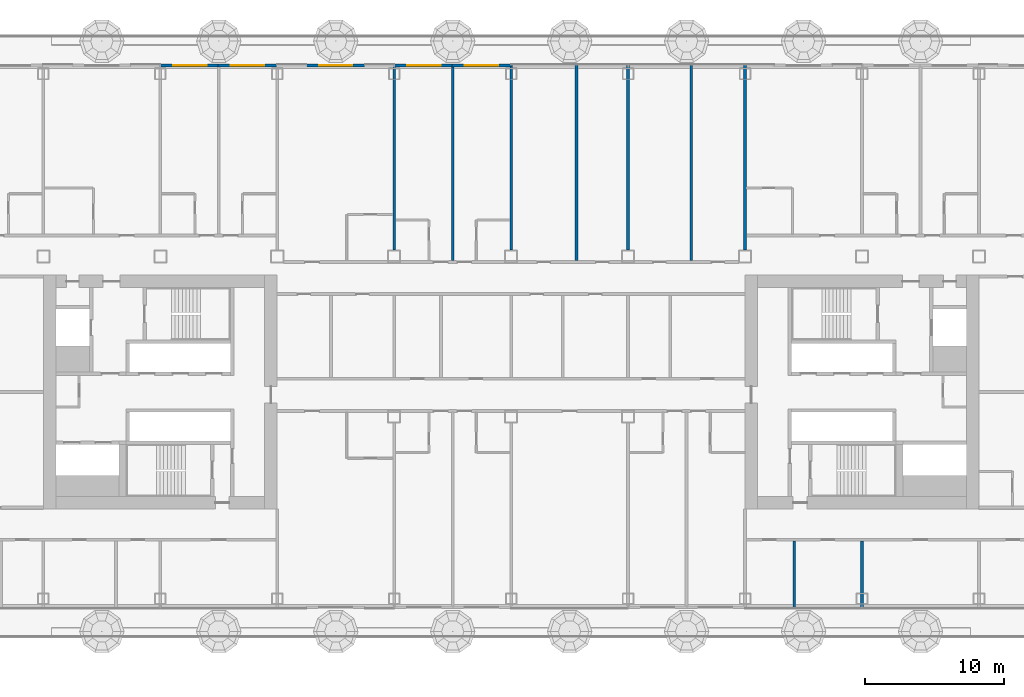
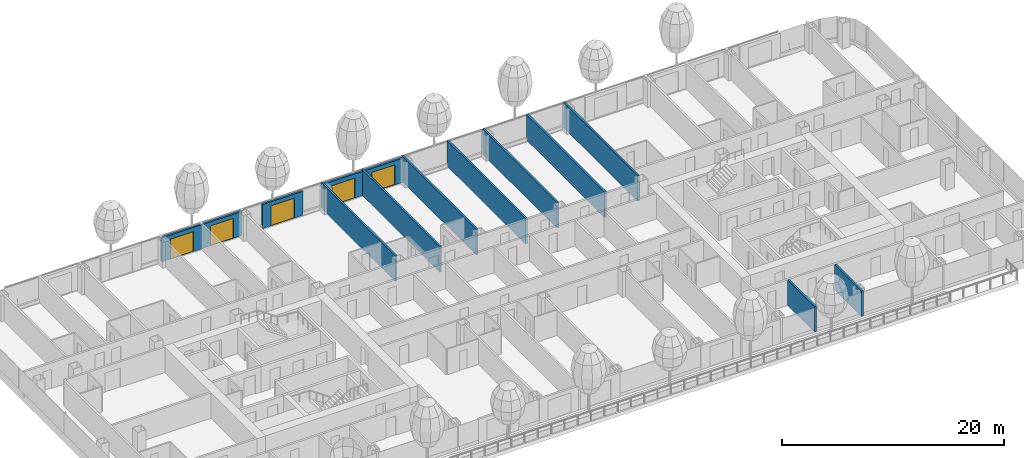
# One storey, part 15 of 33: 14 walls, 5 doors, 5 openings, 1 element without a shape of its own.
"""IFC4 building model written with IfcOpenShell, lengths in metres."""

from ifc_helpers import new_model, si_unit, direction, frame, frame_2d, origin, place, context, subcontext, project, spatial, rectangle, extrude, material, layer, layer_set, type_object, element, fill, aggregate, save


model = new_model("IFC4")

# Units and contexts
model_context = context("Model", 3, precision=1e-05, world=origin(), true_north=direction((0.0, 1.0)))
body_context = subcontext(model_context, "Body", "Model", "MODEL_VIEW")
ifc_project = project(units=[si_unit("LENGTHUNIT", "METRE"), si_unit("AREAUNIT", "SQUARE_METRE"), si_unit("VOLUMEUNIT", "CUBIC_METRE"), si_unit("PLANEANGLEUNIT", "RADIAN"), si_unit("MASSUNIT", "GRAM", prefix="KILO")], contexts=[model_context])

# Site, building, storey
site_placement = place(None, origin())
site = spatial("IfcSite", under=ifc_project, at=site_placement, CompositionType="ELEMENT")
building_placement = place(site_placement, origin())
building = spatial("IfcBuilding", under=site, at=building_placement, Name="Hakoniwa Tower and Hamabe Station Hall", CompositionType="ELEMENT")
storey_placement = place(building_placement, frame((0.0, 0.0, 81.800048828125)))
storey = spatial("IfcBuildingStorey", under=building, at=storey_placement, Name="L22", CompositionType="ELEMENT", Elevation=81.800048828125)

# Curtain wall, walls, openings, doors
ifc_material_1 = material(Name="Dark low-e laminated glass", Category="glass")
ifc_layer_1 = layer(ifc_material_1, 0.199951171875)
ifc_layer_set_1 = layer_set([ifc_layer_1], Name="CW-1 UNITISED GUEST")
curtain_wall_type = type_object("IfcCurtainWallType", Name="CW-1 UNITISED GUEST", PredefinedType="NOTDEFINED", material=ifc_layer_set_1)
curtain_wall_placement = place(storey_placement, origin())
curtain_wall = element("IfcCurtainWall", 1, at=curtain_wall_placement, inside=storey, type_object=curtain_wall_type, Name="CW-1 curtain wall", PredefinedType="NOTDEFINED")
ifc_material_2 = material(Name="Dark glass-faced aluminium panel", Category="aluminium")
ifc_layer_2 = layer(ifc_material_2, 0.199951171875)
ifc_layer_set_2 = layer_set([ifc_layer_2], Name="DOOR BAY WALL")
wall_type_1 = type_object("IfcWallType", Name="DOOR BAY WALL", PredefinedType="NOTDEFINED", material=ifc_layer_set_2)
wall_1_placement = place(storey_placement, frame((-0.02001953125, 23.449951171875, 0.0), z_axis=(0.0, 0.0, 1.0), x_axis=(-1.0, 0.0, 0.0)))
wall_1 = element("IfcWall", 2, at=wall_1_placement, type_object=wall_type_1, Name="Door bay wall", PredefinedType="NOTDEFINED", context=body_context, shape_type="SweptSolid", body=[
    extrude(rectangle(XDim=4.219970703125, YDim=0.199951171875, at=frame_2d((2.10986328125, 0.0))), origin(), (0.0, 0.0, 1.0), 2.64990234375),
])
opening_1_placement = place(wall_1_placement, frame((0.909912109375, 0.0, 0.0)))
opening_1 = element("IfcOpeningElement", 3, at=opening_1_placement, cuts=wall_1, Name="Opening BD-N03-3", PredefinedType="OPENING", context=body_context, shape_type="SweptSolid", body=[
    extrude(rectangle(XDim=2.39990234375, YDim=2.199951171875, at=frame_2d((1.199951171875, 1.10009765625))), frame((0.0, 0.10986328125, 0.0), z_axis=(0.0, -1.0, 0.0), x_axis=(1.0, 0.0, 0.0)), (0.0, 0.0, 1.0), 0.219970703125),
])
ifc_material_3 = material(Name="Dark low-e laminated glass", Category="glass")
door_type = type_object("IfcDoorType", Name="BALCONY SLIDING DOOR 2400X2200", OperationType="SLIDING_TO_LEFT", PredefinedType="DOOR", material=ifc_material_3)
door_1_placement = place(opening_1_placement, frame((2.39990234375, 0.0, 0.0), z_axis=(0.0, 0.0, 1.0), x_axis=(-1.0, 0.0, 0.0)))
door_1 = element("IfcDoor", 4, at=door_1_placement, inside=storey, type_object=door_type, Name="Balcony sliding door", OperationType="SLIDING_TO_LEFT", OverallHeight=2.199951171875, OverallWidth=2.39990234375, PredefinedType="DOOR", context=body_context, shape_type="SweptSolid", body=[
    extrude(rectangle(XDim=2.39990234375, YDim=2.199951171875, at=frame_2d((1.199951171875, 1.10009765625))), frame((0.0, 0.02490234375, 0.0), z_axis=(0.0, -1.0, 0.0), x_axis=(1.0, 0.0, 0.0)), (0.0, 0.0, 1.0), 0.050048828125),
])
fill(opening_1, door_1)
wall_2_placement = place(storey_placement, frame((-4.159912109375, 23.449951171875, 0.0), z_axis=(0.0, 0.0, 1.0), x_axis=(-1.0, 0.0, 0.0)))
wall_2 = element("IfcWall", 5, at=wall_2_placement, type_object=wall_type_1, Name="Door bay wall", PredefinedType="NOTDEFINED", context=body_context, shape_type="SweptSolid", body=[
    extrude(rectangle(XDim=4.219970703125, YDim=0.199951171875, at=frame_2d((2.10986328125, 0.0))), origin(), (0.0, 0.0, 1.0), 2.64990234375),
])
opening_2_placement = place(wall_2_placement, frame((0.909912109375, 0.0, 0.0)))
opening_2 = element("IfcOpeningElement", 6, at=opening_2_placement, cuts=wall_2, Name="Opening BD-N03-2", PredefinedType="OPENING", context=body_context, shape_type="SweptSolid", body=[
    extrude(rectangle(XDim=2.39990234375, YDim=2.199951171875, at=frame_2d((1.199951171875, 1.10009765625))), frame((0.0, 0.10986328125, 0.0), z_axis=(0.0, -1.0, 0.0), x_axis=(1.0, 0.0, 0.0)), (0.0, 0.0, 1.0), 0.219970703125),
])
door_2_placement = place(opening_2_placement, frame((2.39990234375, 0.0, 0.0), z_axis=(0.0, 0.0, 1.0), x_axis=(-1.0, 0.0, 0.0)))
door_2 = element("IfcDoor", 7, at=door_2_placement, inside=storey, type_object=door_type, Name="Balcony sliding door", OperationType="SLIDING_TO_LEFT", OverallHeight=2.199951171875, OverallWidth=2.39990234375, PredefinedType="DOOR", context=body_context, shape_type="SweptSolid", body=[
    extrude(rectangle(XDim=2.39990234375, YDim=2.199951171875, at=frame_2d((1.199951171875, 1.10009765625))), frame((0.0, 0.02490234375, 0.0), z_axis=(0.0, -1.0, 0.0), x_axis=(1.0, 0.0, 0.0)), (0.0, 0.0, 1.0), 0.050048828125),
])
fill(opening_2, door_2)
wall_3_placement = place(storey_placement, frame((-10.489990234375, 23.449951171875, 0.0), z_axis=(0.0, 0.0, 1.0), x_axis=(-1.0, 0.0, 0.0)))
wall_3 = element("IfcWall", 8, at=wall_3_placement, type_object=wall_type_1, Name="Door bay wall", PredefinedType="NOTDEFINED", context=body_context, shape_type="SweptSolid", body=[
    extrude(rectangle(XDim=4.219970703125, YDim=0.199951171875, at=frame_2d((2.10986328125, 0.0))), origin(), (0.0, 0.0, 1.0), 2.64990234375),
])
opening_3_placement = place(wall_3_placement, frame((0.909912109375, 0.0, 0.0)))
opening_3 = element("IfcOpeningElement", 9, at=opening_3_placement, cuts=wall_3, Name="Opening BD-N03-1", PredefinedType="OPENING", context=body_context, shape_type="SweptSolid", body=[
    extrude(rectangle(XDim=2.39990234375, YDim=2.199951171875, at=frame_2d((1.199951171875, 1.10009765625))), frame((0.0, 0.10986328125, 0.0), z_axis=(0.0, -1.0, 0.0), x_axis=(1.0, 0.0, 0.0)), (0.0, 0.0, 1.0), 0.219970703125),
])
door_3_placement = place(opening_3_placement, frame((2.39990234375, 0.0, 0.0), z_axis=(0.0, 0.0, 1.0), x_axis=(-1.0, 0.0, 0.0)))
door_3 = element("IfcDoor", 10, at=door_3_placement, inside=storey, type_object=door_type, Name="Balcony sliding door", OperationType="SLIDING_TO_LEFT", OverallHeight=2.199951171875, OverallWidth=2.39990234375, PredefinedType="DOOR", context=body_context, shape_type="SweptSolid", body=[
    extrude(rectangle(XDim=2.39990234375, YDim=2.199951171875, at=frame_2d((1.199951171875, 1.10009765625))), frame((0.0, 0.02490234375, 0.0), z_axis=(0.0, -1.0, 0.0), x_axis=(1.0, 0.0, 0.0)), (0.0, 0.0, 1.0), 0.050048828125),
])
fill(opening_3, door_3)
wall_4_placement = place(storey_placement, frame((-16.820068359375, 23.449951171875, 0.0), z_axis=(0.0, 0.0, 1.0), x_axis=(-1.0, 0.0, 0.0)))
wall_4 = element("IfcWall", 11, at=wall_4_placement, type_object=wall_type_1, Name="Door bay wall", PredefinedType="NOTDEFINED", context=body_context, shape_type="SweptSolid", body=[
    extrude(rectangle(XDim=4.219970703125, YDim=0.199951171875, at=frame_2d((2.10986328125, 0.0))), origin(), (0.0, 0.0, 1.0), 2.64990234375),
])
opening_4_placement = place(wall_4_placement, frame((0.909912109375, 0.0, 0.0)))
opening_4 = element("IfcOpeningElement", 12, at=opening_4_placement, cuts=wall_4, Name="Opening BD-N03-16", PredefinedType="OPENING", context=body_context, shape_type="SweptSolid", body=[
    extrude(rectangle(XDim=2.39990234375, YDim=2.199951171875, at=frame_2d((1.199951171875, 1.10009765625))), frame((0.0, 0.10986328125, 0.0), z_axis=(0.0, -1.0, 0.0), x_axis=(1.0, 0.0, 0.0)), (0.0, 0.0, 1.0), 0.219970703125),
])
door_4_placement = place(opening_4_placement, frame((2.39990234375, 0.0, 0.0), z_axis=(0.0, 0.0, 1.0), x_axis=(-1.0, 0.0, 0.0)))
door_4 = element("IfcDoor", 13, at=door_4_placement, inside=storey, type_object=door_type, Name="Balcony sliding door", OperationType="SLIDING_TO_LEFT", OverallHeight=2.199951171875, OverallWidth=2.39990234375, PredefinedType="DOOR", context=body_context, shape_type="SweptSolid", body=[
    extrude(rectangle(XDim=2.39990234375, YDim=2.199951171875, at=frame_2d((1.199951171875, 1.10009765625))), frame((0.0, 0.02490234375, 0.0), z_axis=(0.0, -1.0, 0.0), x_axis=(1.0, 0.0, 0.0)), (0.0, 0.0, 1.0), 0.050048828125),
])
fill(opening_4, door_4)
wall_5_placement = place(storey_placement, frame((-20.9599609375, 23.449951171875, 0.0), z_axis=(0.0, 0.0, 1.0), x_axis=(-1.0, 0.0, 0.0)))
wall_5 = element("IfcWall", 14, at=wall_5_placement, type_object=wall_type_1, Name="Door bay wall", PredefinedType="NOTDEFINED", context=body_context, shape_type="SweptSolid", body=[
    extrude(rectangle(XDim=4.219970703125, YDim=0.199951171875, at=frame_2d((2.10986328125, 0.0))), origin(), (0.0, 0.0, 1.0), 2.64990234375),
])
opening_5_placement = place(wall_5_placement, frame((0.909912109375, 0.0, 0.0)))
opening_5 = element("IfcOpeningElement", 15, at=opening_5_placement, cuts=wall_5, Name="Opening BD-N03-15", PredefinedType="OPENING", context=body_context, shape_type="SweptSolid", body=[
    extrude(rectangle(XDim=2.39990234375, YDim=2.199951171875, at=frame_2d((1.199951171875, 1.10009765625))), frame((0.0, 0.10986328125, 0.0), z_axis=(0.0, -1.0, 0.0), x_axis=(1.0, 0.0, 0.0)), (0.0, 0.0, 1.0), 0.219970703125),
])
door_5_placement = place(opening_5_placement, frame((2.39990234375, 0.0, 0.0), z_axis=(0.0, 0.0, 1.0), x_axis=(-1.0, 0.0, 0.0)))
door_5 = element("IfcDoor", 16, at=door_5_placement, inside=storey, type_object=door_type, Name="Balcony sliding door", OperationType="SLIDING_TO_LEFT", OverallHeight=2.199951171875, OverallWidth=2.39990234375, PredefinedType="DOOR", context=body_context, shape_type="SweptSolid", body=[
    extrude(rectangle(XDim=2.39990234375, YDim=2.199951171875, at=frame_2d((1.199951171875, 1.10009765625))), frame((0.0, 0.02490234375, 0.0), z_axis=(0.0, -1.0, 0.0), x_axis=(1.0, 0.0, 0.0)), (0.0, 0.0, 1.0), 0.050048828125),
])
fill(opening_5, door_5)
aggregate(curtain_wall, [wall_1, wall_2, wall_3, wall_4, wall_5])

# Walls
ifc_material_4 = material(Name="Fire-rated gypsum board partition", Category="gypsum")
ifc_layer_3 = layer(ifc_material_4, 0.199951171875)
ifc_layer_set_3 = layer_set([ifc_layer_3], Name="Party Wall 200")
wall_type_2 = type_object("IfcWallType", Name="Party Wall 200", PredefinedType="PARTITIONING", material=ifc_layer_set_3)
wall_6_placement = place(storey_placement, frame((-8.39990234375, 10.18994140625, 0.0), z_axis=(0.0, 0.0, 1.0), x_axis=(0.0, 1.0, 0.0)))
element("IfcWall", 17, at=wall_6_placement, inside=storey, type_object=wall_type_2, Name="GW-L22-061", PredefinedType="PARTITIONING", context=body_context, shape_type="SweptSolid", body=[
    extrude(rectangle(XDim=13.360107421875, YDim=0.199951171875, at=frame_2d((6.68017578125, 0.0))), origin(), (0.0, 0.0, 1.0), 2.800048828125),
])
wall_7_placement = place(storey_placement, frame((-4.199951171875, 9.449951171875, 0.0), z_axis=(0.0, 0.0, 1.0), x_axis=(0.0, 1.0, 0.0)))
element("IfcWall", 18, at=wall_7_placement, inside=storey, type_object=wall_type_2, Name="GW-L22-066", PredefinedType="PARTITIONING", context=body_context, shape_type="SweptSolid", body=[
    extrude(rectangle(XDim=14.10009765625, YDim=0.199951171875, at=frame_2d((7.050048828125, 0.0))), origin(), (0.0, 0.0, 1.0), 2.800048828125),
])
wall_8_placement = place(storey_placement, frame((0.0, 10.18994140625, 0.0), z_axis=(0.0, 0.0, 1.0), x_axis=(0.0, 1.0, 0.0)))
element("IfcWall", 19, at=wall_8_placement, inside=storey, type_object=wall_type_2, Name="GW-L22-071", PredefinedType="PARTITIONING", context=body_context, shape_type="SweptSolid", body=[
    extrude(rectangle(XDim=13.360107421875, YDim=0.199951171875, at=frame_2d((6.68017578125, 0.0))), origin(), (0.0, 0.0, 1.0), 2.800048828125),
])
wall_9_placement = place(storey_placement, frame((4.699951171875, 9.449951171875, 0.0), z_axis=(0.0, 0.0, 1.0), x_axis=(0.0, 1.0, 0.0)))
element("IfcWall", 20, at=wall_9_placement, inside=storey, type_object=wall_type_2, Name="GW-L22-073", PredefinedType="PARTITIONING", context=body_context, shape_type="SweptSolid", body=[
    extrude(rectangle(XDim=14.10009765625, YDim=0.199951171875, at=frame_2d((7.050048828125, 0.0))), origin(), (0.0, 0.0, 1.0), 2.800048828125),
])
wall_10_placement = place(storey_placement, frame((8.39990234375, 10.18994140625, 0.0), z_axis=(0.0, 0.0, 1.0), x_axis=(0.0, 1.0, 0.0)))
element("IfcWall", 21, at=wall_10_placement, inside=storey, type_object=wall_type_2, Name="GW-L22-076", PredefinedType="PARTITIONING", context=body_context, shape_type="SweptSolid", body=[
    extrude(rectangle(XDim=13.360107421875, YDim=0.199951171875, at=frame_2d((6.68017578125, 0.0))), origin(), (0.0, 0.0, 1.0), 2.800048828125),
])
wall_11_placement = place(storey_placement, frame((12.93994140625, 9.449951171875, 0.0), z_axis=(0.0, 0.0, 1.0), x_axis=(0.0, 1.0, 0.0)))
element("IfcWall", 22, at=wall_11_placement, inside=storey, type_object=wall_type_2, Name="GW-L22-080", PredefinedType="PARTITIONING", context=body_context, shape_type="SweptSolid", body=[
    extrude(rectangle(XDim=14.10009765625, YDim=0.199951171875, at=frame_2d((7.050048828125, 0.0))), origin(), (0.0, 0.0, 1.0), 2.800048828125),
])
wall_12_placement = place(storey_placement, frame((16.800048828125, 10.18994140625, 0.0), z_axis=(0.0, 0.0, 1.0), x_axis=(0.0, 1.0, 0.0)))
element("IfcWall", 23, at=wall_12_placement, inside=storey, type_object=wall_type_2, Name="GW-L22-083", PredefinedType="PARTITIONING", context=body_context, shape_type="SweptSolid", body=[
    extrude(rectangle(XDim=13.360107421875, YDim=0.199951171875, at=frame_2d((6.68017578125, 0.0))), origin(), (0.0, 0.0, 1.0), 2.800048828125),
])
for number, where, z_axis, x_axis, name in (
    (24, (20.330078125, -15.550048828125, 0.0), (0.0, 0.0, 1.0), (0.0, 1.0, 0.0), "GW-L22-085"),
    (25, (25.199951171875, -15.550048828125, 0.0), (0.0, 0.0, 1.0), (0.0, 1.0, 0.0), "GW-L22-086"),
):
    element("IfcWall", number, at=place(storey_placement, frame(where, z_axis=z_axis, x_axis=x_axis)), inside=storey, type_object=wall_type_2, Name=name, PredefinedType="PARTITIONING", context=body_context, shape_type="SweptSolid", body=[
        extrude(rectangle(XDim=4.85009765625, YDim=0.199951171875, at=frame_2d((2.425048828125, 0.0))), origin(), (0.0, 0.0, 1.0), 2.800048828125),
    ])

save(model, "model.ifc")
